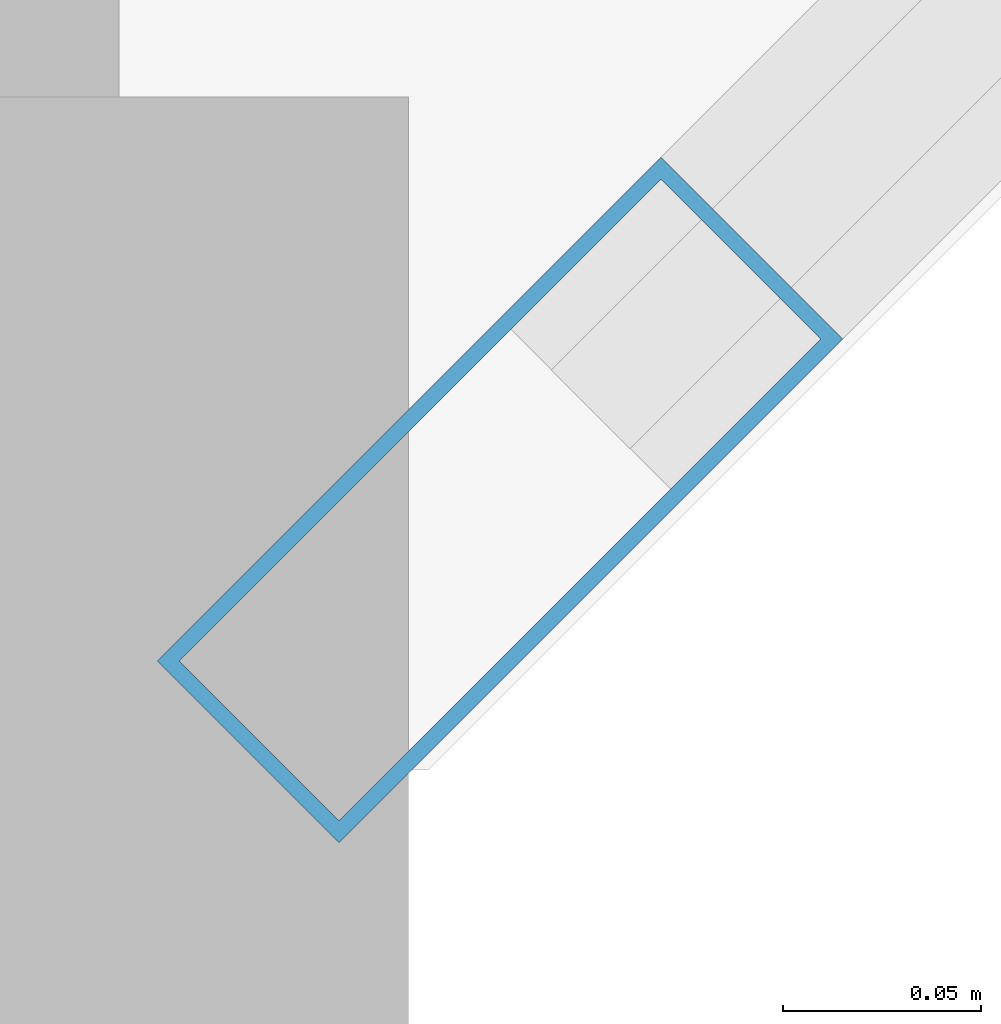
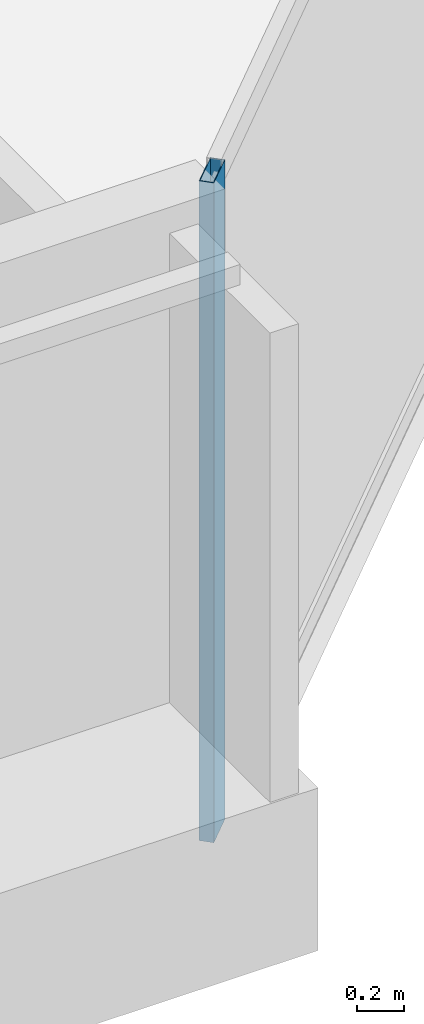
# One storey, part 13 of 30: 1 member, 1 element without a shape of its own.
"""IFC4 building model written with IfcOpenShell, lengths in metres."""

from ifc_helpers import new_model, si_unit, direction, frame, origin, origin_2d, place, context, subcontext, project, spatial, hollow_rectangle, extrude, material, layer, layer_set, material_profile, profile_set, type_object, element, aggregate, save


model = new_model("IFC4")

# Units and contexts
model_context = context("Model", 3, precision=1e-05, world=origin(), true_north=direction((0.0, 1.0)))
body_context = subcontext(model_context, "Body", "Model", "MODEL_VIEW")
ifc_project = project(units=[si_unit("LENGTHUNIT", "METRE"), si_unit("AREAUNIT", "SQUARE_METRE"), si_unit("VOLUMEUNIT", "CUBIC_METRE"), si_unit("PLANEANGLEUNIT", "RADIAN"), si_unit("MASSUNIT", "GRAM", prefix="KILO")], contexts=[model_context])

# Site, building, storey
site_placement = place(None, origin())
site = spatial("IfcSite", under=ifc_project, at=site_placement, CompositionType="ELEMENT")
building_placement = place(site_placement, origin())
building = spatial("IfcBuilding", under=site, at=building_placement, Name="Tanjung Sevakor Pilgrim Tower", CompositionType="ELEMENT")
storey_placement = place(building_placement, frame((0.0, 0.0, 165.659912109375)))
storey = spatial("IfcBuildingStorey", under=building, at=storey_placement, Name="L46", CompositionType="ELEMENT", Elevation=165.659912109375)

# Curtain wall, member
ifc_material_1 = material(Name="Aluminium 6063-T6 and Low-E Glass", Category="aluminium")
ifc_layer = layer(ifc_material_1, 0.179931640625)
ifc_layer_set = layer_set([ifc_layer], Name="CW-SYS-CHAM")
curtain_wall_type = type_object("IfcCurtainWallType", Name="CW-SYS-CHAM", PredefinedType="NOTDEFINED", material=ifc_layer_set)
curtain_wall_placement = place(storey_placement, origin())
curtain_wall = element("IfcCurtainWall", 1, at=curtain_wall_placement, inside=storey, type_object=curtain_wall_type, Name="L46 Curtain Wall CW-CHM-L46-MAIN-5", PredefinedType="NOTDEFINED")
ifc_material_2 = material(Name="Aluminium 6063-T6", Category="aluminium")
ifc_material_profile = material_profile(ifc_material_2, hollow_rectangle(XDim=0.06494140625, YDim=0.179931640625, WallThickness=0.00390625, at=origin_2d()))
ifc_profile_set = profile_set([ifc_material_profile], Name="Aluminium 6063-T6")
member_type = type_object("IfcMemberType", Name="TYPE-CWM-1", PredefinedType="MULLION", material=ifc_profile_set)
member_placement = place(storey_placement, frame((95.771240234375, 12.048095703125, 0.0), z_axis=(0.0, 0.0, 1.0), x_axis=(-0.707106781187, 0.707106781187, 0.0)))
member = element("IfcMember", 2, at=member_placement, type_object=member_type, Name="CW-CHM mullion 1", PredefinedType="MULLION", context=body_context, shape_type="SweptSolid", body=[
    extrude(hollow_rectangle(XDim=0.06494140625, YDim=0.179931640625, WallThickness=0.00390625, at=origin_2d()), origin(), (0.0, 0.0, 1.0), 3.41015625),
])
aggregate(curtain_wall, [member])

save(model, "model.ifc")
